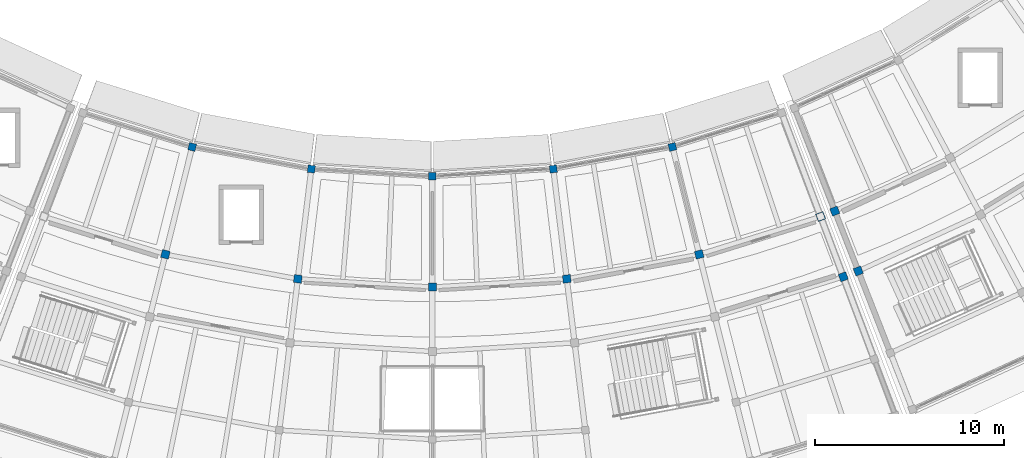
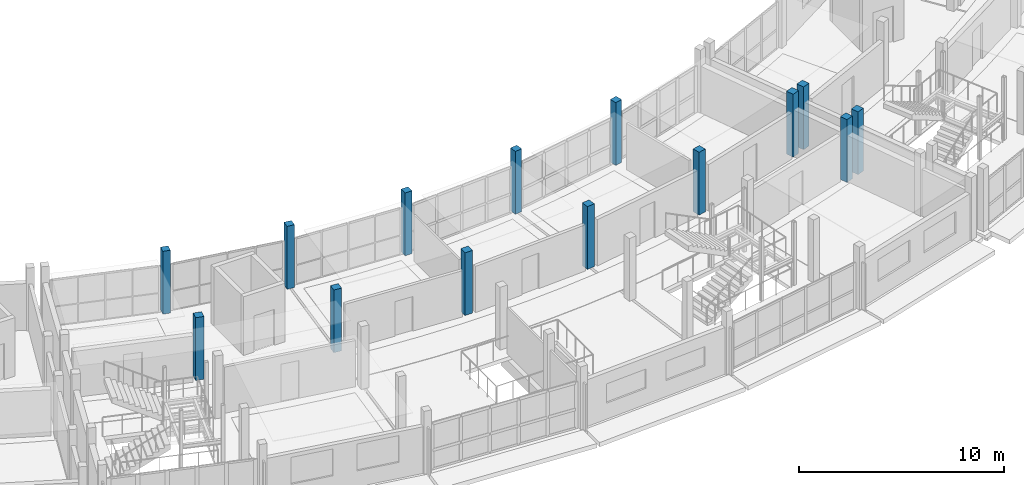
# One storey, part 8 of 66: 14 columns.
"""IFC4 building model written with IfcOpenShell, lengths in metres."""

import ifcopenshell
import ifcopenshell.guid

model = None  # the IFC model being written
_history = None  # IfcOwnerHistory: only IFC2X3 demands one
_inside = {}  # id of a spatial element -> (the spatial element, [elements in it])
_under = {}  # id of a project, library or spatial element -> (it, [spatial elements below it])
_declared = {}  # id of a project -> (the project, [libraries it declares])
_typed = {}  # id of a type object -> (the type object, [elements of that type])
_made_of = {}  # id of a material, layer set ... -> (it, [elements and type objects made of it])


def new_model(schema):
    """Start an empty IFC model of exactly this schema.

    Asked for "IFC4X3", IfcOpenShell would pick the latest addendum, in which some entities
    have other attributes; the version numbers below select the first issue.
    IFC2X3 requires an IfcOwnerHistory on every rooted entity: one is made here for all.
    """
    global model, _history
    if schema == "IFC4X3":
        model = ifcopenshell.file(schema_version=(4, 3, 0, 0))
    else:
        model = ifcopenshell.file(schema=schema)
    _inside.clear()
    _under.clear()
    _declared.clear()
    _typed.clear()
    _made_of.clear()
    _history = None
    if model.schema == "IFC2X3":
        org = make("IfcOrganization", Name="unknown")
        user = make(
            "IfcPersonAndOrganization",
            ThePerson=make("IfcPerson", FamilyName="unknown"),
            TheOrganization=org,
        )
        app = make(
            "IfcApplication",
            ApplicationDeveloper=org,
            Version="unknown",
            ApplicationFullName="unknown",
            ApplicationIdentifier="unknown",
        )
        _history = make(
            "IfcOwnerHistory",
            OwningUser=user,
            OwningApplication=app,
            ChangeAction="ADDED",
            CreationDate=0,
        )
    return model


def make(cls, **values):
    """One entity of the class cls with the attributes given. An attribute that is None is left unset."""
    return model.create_entity(
        cls, **{name: value for name, value in values.items() if value is not None}
    )


def rooted(cls, **values):
    """An entity with a GlobalId (a new one), such as an element, a storey or a relation."""
    return make(cls, GlobalId=ifcopenshell.guid.new(), OwnerHistory=_history, **values)


def si_unit(unit_type, name, prefix=None):
    """IfcSIUnit, for example si_unit("LENGTHUNIT", "METRE", prefix="MILLI")."""
    return make("IfcSIUnit", UnitType=unit_type, Prefix=prefix, Name=name)


def assignment(units):
    """IfcUnitAssignment: the units of a project."""
    return None if units is None else make("IfcUnitAssignment", Units=units)


def point(xyz):
    """IfcCartesianPoint."""
    return None if xyz is None else make("IfcCartesianPoint", Coordinates=xyz)


def direction(xyz):
    """IfcDirection."""
    return None if xyz is None else make("IfcDirection", DirectionRatios=xyz)


def frame(location, z_axis=None, x_axis=None):
    """IfcAxis2Placement3D, a coordinate frame: its origin and axes. An axis left out is left unset."""
    return make(
        "IfcAxis2Placement3D",
        Location=point(location),
        Axis=direction(z_axis),
        RefDirection=direction(x_axis),
    )


def frame_2d(location, x_axis=None):
    """IfcAxis2Placement2D, a coordinate frame in the plane: its origin and x axis."""
    return make(
        "IfcAxis2Placement2D", Location=point(location), RefDirection=direction(x_axis)
    )


def origin():
    """The frame at (0, 0, 0) with its axes left unset."""
    return frame((0.0, 0.0, 0.0))


def origin_2d():
    """The frame at (0, 0) in the plane with its x axis left unset."""
    return frame_2d((0.0, 0.0))


def place(relative_to, where):
    """IfcLocalPlacement: puts the frame where relative to a parent placement (None: the world)."""
    return make(
        "IfcLocalPlacement", PlacementRelTo=relative_to, RelativePlacement=where
    )


def context(
    kind, dimensions, precision=None, world=None, true_north=None, identifier=None
):
    """IfcGeometricRepresentationContext, for example the 3D "Model" context."""
    return make(
        "IfcGeometricRepresentationContext",
        ContextIdentifier=identifier,
        ContextType=kind,
        CoordinateSpaceDimension=dimensions,
        Precision=precision,
        WorldCoordinateSystem=world,
        TrueNorth=true_north,
    )


def subcontext(parent, identifier, kind, view, scale=None):
    """IfcGeometricRepresentationSubContext, for example "Body" below "Model"."""
    return make(
        "IfcGeometricRepresentationSubContext",
        ContextIdentifier=identifier,
        ContextType=kind,
        ParentContext=parent,
        TargetScale=scale,
        TargetView=view,
    )


def project(units=None, contexts=None):
    """IfcProject with its units and contexts."""
    return rooted(
        "IfcProject",
        Name="project",
        RepresentationContexts=contexts,
        UnitsInContext=assignment(units),
    )


def spatial(cls, under=None, at=None, **own):
    """A site, building, storey or space (cls), placed at a placement, below another one or the project."""
    s = rooted(cls, ObjectPlacement=at, **own)
    if under is not None:
        _under.setdefault(under.id(), (under, []))[1].append(s)
    return s


def profile(cls, at=None, kind="AREA", **sizes):
    """A parametric profile (cls). Its sizes go by their IFC names, for example OverallWidth=200.0."""
    return make(cls, ProfileType=kind, Position=at, **sizes)


def rectangle(**sizes):
    """IfcRectangleProfileDef."""
    return profile("IfcRectangleProfileDef", **sizes)


def extrude(swept, where, along, depth):
    """IfcExtrudedAreaSolid: the profile swept, set in the frame where, extruded along a direction by depth."""
    return make(
        "IfcExtrudedAreaSolid",
        SweptArea=swept,
        Position=where,
        ExtrudedDirection=direction(along),
        Depth=depth,
    )


def shape(context_of_items, identifier, shape_type, items):
    """IfcShapeRepresentation: the items that make up one representation, for example the "Body"."""
    return make(
        "IfcShapeRepresentation",
        ContextOfItems=context_of_items,
        RepresentationIdentifier=identifier,
        RepresentationType=shape_type,
        Items=items,
    )


def material(Name=None, Category=None):
    """IfcMaterial."""
    return make("IfcMaterial", Name=Name, Category=Category)


def material_profile(
    of_material, cross_section, Name=None, Category=None, Priority=None
):
    """IfcMaterialProfile: a cross section and its material."""
    return make(
        "IfcMaterialProfile",
        Name=Name,
        Material=of_material,
        Profile=cross_section,
        Priority=Priority,
        Category=Category,
    )


def profile_set(profiles, Name=None, composite=None):
    """IfcMaterialProfileSet."""
    return make(
        "IfcMaterialProfileSet",
        Name=Name,
        MaterialProfiles=profiles,
        CompositeProfile=composite,
    )


def made_of(thing, what):
    """Note that an element or type object is made of a material, layer set ...; save() writes the relation."""
    if what is not None:
        _made_of.setdefault(what.id(), (what, []))[1].append(thing)
    return thing


def type_object(cls, material=None, **own):
    """A type object (cls), such as IfcWallType, which elements share."""
    return made_of(rooted(cls, **own), material)


def element(
    cls,
    number,
    at=None,
    inside=None,
    cuts=None,
    type_object=None,
    material=None,
    context=None,
    identifier="Body",
    shape_type=None,
    held_by="IfcProductDefinitionShape",
    body=None,
    shapes=None,
    **own,
):
    """One element of the class cls, such as IfcWall. Its Tag is "e" and its number.

    at: its placement. inside: the storey or other place that contains it. cuts: it is an
    opening in that element (IfcRelVoidsElement). A single representation is given by context,
    identifier, shape_type and body (its items); several are given by shapes. held_by: the class
    of the entity that holds the representations. save() writes the other relations.
    """
    e = rooted(cls, Tag="e%d" % number, ObjectPlacement=at, **own)
    if body is not None:
        shapes = [shape(context, identifier, shape_type, body)]
    if shapes is not None:
        e.Representation = make(held_by, Representations=shapes)
    if inside is not None:
        _inside.setdefault(inside.id(), (inside, []))[1].append(e)
    if cuts is not None:
        rooted(
            "IfcRelVoidsElement", RelatingBuildingElement=cuts, RelatedOpeningElement=e
        )
    if type_object is not None:
        _typed.setdefault(type_object.id(), (type_object, []))[1].append(e)
    return made_of(e, material)


def aggregate(whole, parts):
    """IfcRelAggregates: a whole, such as a stair, and the parts it consists of."""
    return rooted("IfcRelAggregates", RelatingObject=whole, RelatedObjects=parts)


def save(model, path):
    """Write the relations noted so far, then the file.

    IfcRelAggregates (storeys below a building ...), IfcRelContainedInSpatialStructure (elements
    in a storey), IfcRelDefinesByType, IfcRelAssociatesMaterial and IfcRelDeclares: one each for
    every whole, place, type object, material and project.
    """
    for whole, parts in _under.values():
        aggregate(whole, parts)
    for where, things in _inside.values():
        rooted(
            "IfcRelContainedInSpatialStructure",
            RelatedElements=things,
            RelatingStructure=where,
        )
    for kind, things in _typed.values():
        rooted("IfcRelDefinesByType", RelatedObjects=things, RelatingType=kind)
    for what, things in _made_of.values():
        rooted("IfcRelAssociatesMaterial", RelatedObjects=things, RelatingMaterial=what)
    for by, libraries in _declared.values():
        rooted("IfcRelDeclares", RelatingContext=by, RelatedDefinitions=libraries)
    model.write(path)


model = new_model("IFC4")

# Units and contexts
model_context = context("Model", 3, precision=1e-05, world=origin(), true_north=direction((0.0, 1.0)))
body_context = subcontext(model_context, "Body", "Model", "MODEL_VIEW")
ifc_project = project(units=[si_unit("LENGTHUNIT", "METRE"), si_unit("AREAUNIT", "SQUARE_METRE"), si_unit("VOLUMEUNIT", "CUBIC_METRE"), si_unit("PLANEANGLEUNIT", "RADIAN"), si_unit("MASSUNIT", "GRAM", prefix="KILO")], contexts=[model_context])

# Site, building, storey
site_placement = place(None, origin())
site = spatial("IfcSite", under=ifc_project, at=site_placement, CompositionType="ELEMENT")
building_placement = place(site_placement, origin())
building = spatial("IfcBuilding", under=site, at=building_placement, Name="Caldaven Crescent School", CompositionType="ELEMENT")
storey_placement = place(building_placement, frame((0.0, 0.0, 8.159912109375)))
storey = spatial("IfcBuildingStorey", under=building, at=storey_placement, Name="L02", CompositionType="ELEMENT", Elevation=8.159912109375)

# Columns
ifc_material = material(Name="Glulam MLE24h (GL28h)", Category="wood")
ifc_material_profile_1 = material_profile(ifc_material, rectangle(XDim=0.389892578125, YDim=0.389892578125, at=origin_2d()), Name="MLE 390x390")
ifc_profile_set_1 = profile_set([ifc_material_profile_1], Name="Glulam MLE24h (GL28h)")
column_type_1 = type_object("IfcColumnType", Name="COL-GL39", PredefinedType="COLUMN", material=ifc_profile_set_1)
for number, where, z_axis, x_axis, name in (
    (1, (75.311279296875, 45.10791015625, 0.0), (0.0, 0.0, 1.0), (-0.2419218956, -0.970295726276, 0.0), "COL-V5-L02-01-0"),
    (2, (81.60791015625, 43.94091796875, 0.0), (0.0, 0.0, 1.0), (-0.121869343405, -0.992546151641, 0.0), "COL-V5-L02-02-0"),
    (3, (88.0, 43.550048828125, 0.0), (0.0, 0.0, 1.0), (0.0, -1.0, 0.0), "COL-V5-L02-03-0"),
    (4, (94.39208984375, 43.94091796875, 0.0), (0.0, 0.0, 1.0), (0.121869343405, -0.992546151641, 0.0), "COL-V5-L02-04-0"),
    (5, (100.688720703125, 45.10791015625, 0.0), (0.0, 0.0, 1.0), (0.2419218956, -0.970295726276, 0.0), "COL-V5-L02-05-0"),
):
    element("IfcColumn", number, at=place(storey_placement, frame(where, z_axis=z_axis, x_axis=x_axis)), inside=storey, type_object=column_type_1, Name=name, PredefinedType="COLUMN", context=body_context, shape_type="SweptSolid", body=[
        extrude(rectangle(XDim=0.389892578125, YDim=0.389892578125, at=origin_2d()), origin(), (0.0, 0.0, 1.0), 3.739990234375),
    ])
ifc_material_profile_2 = material_profile(ifc_material, rectangle(XDim=0.419921875, YDim=0.419921875, at=origin_2d()), Name="MLE 420x420")
ifc_profile_set_2 = profile_set([ifc_material_profile_2], Name="Glulam MLE24h (GL28h)")
column_type_2 = type_object("IfcColumnType", Name="COL-GL42", PredefinedType="COLUMN", material=ifc_profile_set_2)
for number, where, z_axis, x_axis, name in (
    (6, (73.89599609375, 39.431640625, 0.0), (0.0, 0.0, 1.0), (-0.2419218956, -0.970295726276, 0.0), "COL-V5-L02-01-1"),
    (7, (80.89501953125, 38.134521484375, 0.0), (0.0, 0.0, 1.0), (-0.121869343405, -0.992546151641, 0.0), "COL-V5-L02-02-1"),
    (8, (88.0, 37.699951171875, 0.0), (0.0, 0.0, 1.0), (0.0, -1.0, 0.0), "COL-V5-L02-03-1"),
    (9, (95.10498046875, 38.134521484375, 0.0), (0.0, 0.0, 1.0), (0.121869343405, -0.992546151641, 0.0), "COL-V5-L02-04-1"),
    (10, (102.10400390625, 39.431640625, 0.0), (0.0, 0.0, 1.0), (0.2419218956, -0.970295726276, 0.0), "COL-V5-L02-05-1"),
    (11, (108.517578125, 41.4296875, 0.0), (0.0, 0.0, 1.0), (0.352005016254, -0.93599811353, 0.0), "COL-V5-L02-06-1"),
    (12, (109.714111328125, 38.247314453125, 0.0), (0.0, 0.0, 1.0), (0.352005016254, -0.93599811353, 0.0), "COL-V5-L02-06-2"),
    (13, (109.26708984375, 41.71728515625, 0.0), (0.0, 0.0, 1.0), (0.364714278886, -0.931119484694, 0.0), "COL-V4E-L02-00-1"),
    (14, (110.50732421875, 38.5517578125, 0.0), (0.0, 0.0, 1.0), (0.364714278886, -0.931119484694, 0.0), "COL-V4E-L02-00-2"),
):
    element("IfcColumn", number, at=place(storey_placement, frame(where, z_axis=z_axis, x_axis=x_axis)), inside=storey, type_object=column_type_2, Name=name, PredefinedType="COLUMN", context=body_context, shape_type="SweptSolid", body=[
        extrude(rectangle(XDim=0.419921875, YDim=0.419921875, at=origin_2d()), origin(), (0.0, 0.0, 1.0), 3.739990234375),
    ])

save(model, "model.ifc")
